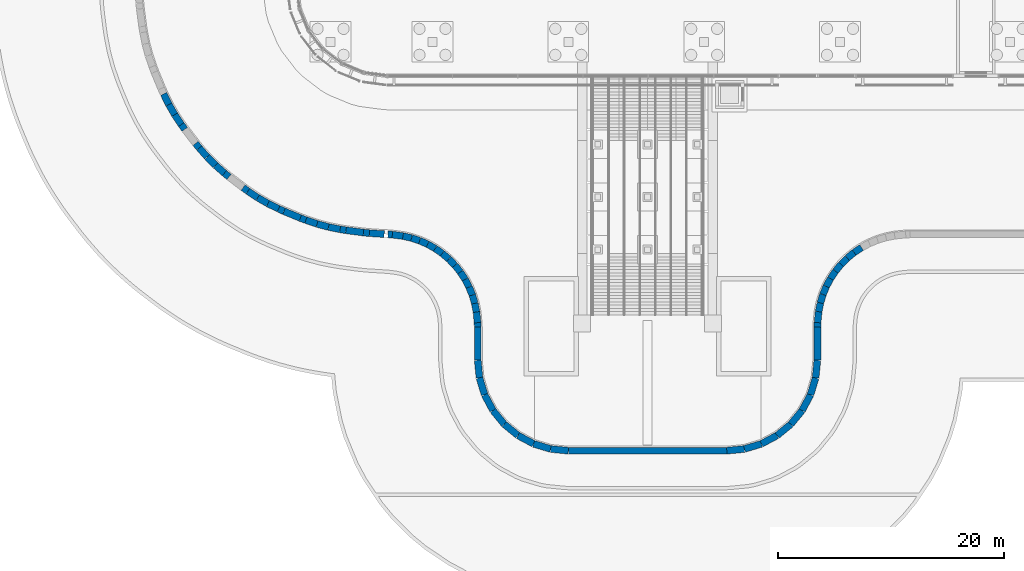
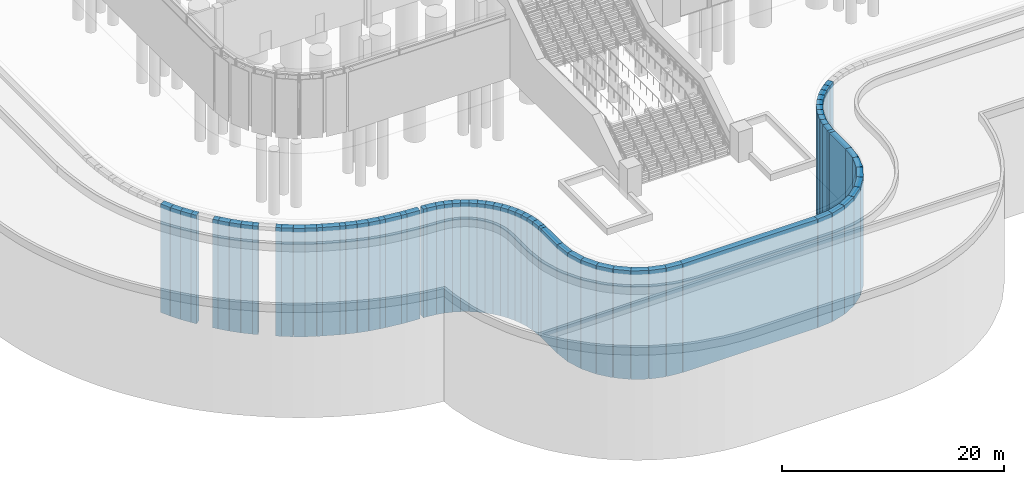
# One storey, part 20 of 48: 70 walls.
"""IFC4 building model written with IfcOpenShell, lengths in metres."""

import ifcopenshell
import ifcopenshell.guid

model = None  # the IFC model being written
_history = None  # IfcOwnerHistory: only IFC2X3 demands one
_inside = {}  # id of a spatial element -> (the spatial element, [elements in it])
_under = {}  # id of a project, library or spatial element -> (it, [spatial elements below it])
_declared = {}  # id of a project -> (the project, [libraries it declares])
_typed = {}  # id of a type object -> (the type object, [elements of that type])
_made_of = {}  # id of a material, layer set ... -> (it, [elements and type objects made of it])


def new_model(schema):
    """Start an empty IFC model of exactly this schema.

    Asked for "IFC4X3", IfcOpenShell would pick the latest addendum, in which some entities
    have other attributes; the version numbers below select the first issue.
    IFC2X3 requires an IfcOwnerHistory on every rooted entity: one is made here for all.
    """
    global model, _history
    if schema == "IFC4X3":
        model = ifcopenshell.file(schema_version=(4, 3, 0, 0))
    else:
        model = ifcopenshell.file(schema=schema)
    _inside.clear()
    _under.clear()
    _declared.clear()
    _typed.clear()
    _made_of.clear()
    _history = None
    if model.schema == "IFC2X3":
        org = make("IfcOrganization", Name="unknown")
        user = make(
            "IfcPersonAndOrganization",
            ThePerson=make("IfcPerson", FamilyName="unknown"),
            TheOrganization=org,
        )
        app = make(
            "IfcApplication",
            ApplicationDeveloper=org,
            Version="unknown",
            ApplicationFullName="unknown",
            ApplicationIdentifier="unknown",
        )
        _history = make(
            "IfcOwnerHistory",
            OwningUser=user,
            OwningApplication=app,
            ChangeAction="ADDED",
            CreationDate=0,
        )
    return model


def make(cls, **values):
    """One entity of the class cls with the attributes given. An attribute that is None is left unset."""
    return model.create_entity(
        cls, **{name: value for name, value in values.items() if value is not None}
    )


def rooted(cls, **values):
    """An entity with a GlobalId (a new one), such as an element, a storey or a relation."""
    return make(cls, GlobalId=ifcopenshell.guid.new(), OwnerHistory=_history, **values)


def si_unit(unit_type, name, prefix=None):
    """IfcSIUnit, for example si_unit("LENGTHUNIT", "METRE", prefix="MILLI")."""
    return make("IfcSIUnit", UnitType=unit_type, Prefix=prefix, Name=name)


def assignment(units):
    """IfcUnitAssignment: the units of a project."""
    return None if units is None else make("IfcUnitAssignment", Units=units)


def point(xyz):
    """IfcCartesianPoint."""
    return None if xyz is None else make("IfcCartesianPoint", Coordinates=xyz)


def direction(xyz):
    """IfcDirection."""
    return None if xyz is None else make("IfcDirection", DirectionRatios=xyz)


def frame(location, z_axis=None, x_axis=None):
    """IfcAxis2Placement3D, a coordinate frame: its origin and axes. An axis left out is left unset."""
    return make(
        "IfcAxis2Placement3D",
        Location=point(location),
        Axis=direction(z_axis),
        RefDirection=direction(x_axis),
    )


def frame_2d(location, x_axis=None):
    """IfcAxis2Placement2D, a coordinate frame in the plane: its origin and x axis."""
    return make(
        "IfcAxis2Placement2D", Location=point(location), RefDirection=direction(x_axis)
    )


def origin():
    """The frame at (0, 0, 0) with its axes left unset."""
    return frame((0.0, 0.0, 0.0))


def place(relative_to, where):
    """IfcLocalPlacement: puts the frame where relative to a parent placement (None: the world)."""
    return make(
        "IfcLocalPlacement", PlacementRelTo=relative_to, RelativePlacement=where
    )


def context(
    kind, dimensions, precision=None, world=None, true_north=None, identifier=None
):
    """IfcGeometricRepresentationContext, for example the 3D "Model" context."""
    return make(
        "IfcGeometricRepresentationContext",
        ContextIdentifier=identifier,
        ContextType=kind,
        CoordinateSpaceDimension=dimensions,
        Precision=precision,
        WorldCoordinateSystem=world,
        TrueNorth=true_north,
    )


def subcontext(parent, identifier, kind, view, scale=None):
    """IfcGeometricRepresentationSubContext, for example "Body" below "Model"."""
    return make(
        "IfcGeometricRepresentationSubContext",
        ContextIdentifier=identifier,
        ContextType=kind,
        ParentContext=parent,
        TargetScale=scale,
        TargetView=view,
    )


def project(units=None, contexts=None):
    """IfcProject with its units and contexts."""
    return rooted(
        "IfcProject",
        Name="project",
        RepresentationContexts=contexts,
        UnitsInContext=assignment(units),
    )


def spatial(cls, under=None, at=None, **own):
    """A site, building, storey or space (cls), placed at a placement, below another one or the project."""
    s = rooted(cls, ObjectPlacement=at, **own)
    if under is not None:
        _under.setdefault(under.id(), (under, []))[1].append(s)
    return s


def profile(cls, at=None, kind="AREA", **sizes):
    """A parametric profile (cls). Its sizes go by their IFC names, for example OverallWidth=200.0."""
    return make(cls, ProfileType=kind, Position=at, **sizes)


def rectangle(**sizes):
    """IfcRectangleProfileDef."""
    return profile("IfcRectangleProfileDef", **sizes)


def extrude(swept, where, along, depth):
    """IfcExtrudedAreaSolid: the profile swept, set in the frame where, extruded along a direction by depth."""
    return make(
        "IfcExtrudedAreaSolid",
        SweptArea=swept,
        Position=where,
        ExtrudedDirection=direction(along),
        Depth=depth,
    )


def shape(context_of_items, identifier, shape_type, items):
    """IfcShapeRepresentation: the items that make up one representation, for example the "Body"."""
    return make(
        "IfcShapeRepresentation",
        ContextOfItems=context_of_items,
        RepresentationIdentifier=identifier,
        RepresentationType=shape_type,
        Items=items,
    )


def material(Name=None, Category=None):
    """IfcMaterial."""
    return make("IfcMaterial", Name=Name, Category=Category)


def layer(
    of_material, thickness, ventilated=None, Name=None, Category=None, Priority=None
):
    """IfcMaterialLayer: one layer of a wall or slab, of a material (None: an air gap)."""
    return make(
        "IfcMaterialLayer",
        Material=of_material,
        LayerThickness=thickness,
        IsVentilated=ventilated,
        Name=Name,
        Category=Category,
        Priority=Priority,
    )


def layer_set(layers, Name=None):
    """IfcMaterialLayerSet."""
    return make("IfcMaterialLayerSet", MaterialLayers=layers, LayerSetName=Name)


def made_of(thing, what):
    """Note that an element or type object is made of a material, layer set ...; save() writes the relation."""
    if what is not None:
        _made_of.setdefault(what.id(), (what, []))[1].append(thing)
    return thing


def type_object(cls, material=None, **own):
    """A type object (cls), such as IfcWallType, which elements share."""
    return made_of(rooted(cls, **own), material)


def element(
    cls,
    number,
    at=None,
    inside=None,
    cuts=None,
    type_object=None,
    material=None,
    context=None,
    identifier="Body",
    shape_type=None,
    held_by="IfcProductDefinitionShape",
    body=None,
    shapes=None,
    **own,
):
    """One element of the class cls, such as IfcWall. Its Tag is "e" and its number.

    at: its placement. inside: the storey or other place that contains it. cuts: it is an
    opening in that element (IfcRelVoidsElement). A single representation is given by context,
    identifier, shape_type and body (its items); several are given by shapes. held_by: the class
    of the entity that holds the representations. save() writes the other relations.
    """
    e = rooted(cls, Tag="e%d" % number, ObjectPlacement=at, **own)
    if body is not None:
        shapes = [shape(context, identifier, shape_type, body)]
    if shapes is not None:
        e.Representation = make(held_by, Representations=shapes)
    if inside is not None:
        _inside.setdefault(inside.id(), (inside, []))[1].append(e)
    if cuts is not None:
        rooted(
            "IfcRelVoidsElement", RelatingBuildingElement=cuts, RelatedOpeningElement=e
        )
    if type_object is not None:
        _typed.setdefault(type_object.id(), (type_object, []))[1].append(e)
    return made_of(e, material)


def aggregate(whole, parts):
    """IfcRelAggregates: a whole, such as a stair, and the parts it consists of."""
    return rooted("IfcRelAggregates", RelatingObject=whole, RelatedObjects=parts)


def save(model, path):
    """Write the relations noted so far, then the file.

    IfcRelAggregates (storeys below a building ...), IfcRelContainedInSpatialStructure (elements
    in a storey), IfcRelDefinesByType, IfcRelAssociatesMaterial and IfcRelDeclares: one each for
    every whole, place, type object, material and project.
    """
    for whole, parts in _under.values():
        aggregate(whole, parts)
    for where, things in _inside.values():
        rooted(
            "IfcRelContainedInSpatialStructure",
            RelatedElements=things,
            RelatingStructure=where,
        )
    for kind, things in _typed.values():
        rooted("IfcRelDefinesByType", RelatedObjects=things, RelatingType=kind)
    for what, things in _made_of.values():
        rooted("IfcRelAssociatesMaterial", RelatedObjects=things, RelatingMaterial=what)
    for by, libraries in _declared.values():
        rooted("IfcRelDeclares", RelatingContext=by, RelatedDefinitions=libraries)
    model.write(path)


model = new_model("IFC4")

# Units and contexts
model_context = context("Model", 3, precision=1e-05, world=origin(), true_north=direction((0.0, 1.0)))
body_context = subcontext(model_context, "Body", "Model", "MODEL_VIEW")
ifc_project = project(units=[si_unit("LENGTHUNIT", "METRE"), si_unit("AREAUNIT", "SQUARE_METRE"), si_unit("VOLUMEUNIT", "CUBIC_METRE"), si_unit("PLANEANGLEUNIT", "RADIAN"), si_unit("MASSUNIT", "GRAM", prefix="KILO")], contexts=[model_context])

# Site, building, storey
site_placement = place(None, origin())
site = spatial("IfcSite", under=ifc_project, at=site_placement, CompositionType="ELEMENT")
building_placement = place(site_placement, origin())
building = spatial("IfcBuilding", under=site, at=building_placement, Name="Mahtab Terrace Research Tower", CompositionType="ELEMENT")
storey_placement = place(building_placement, origin())
storey = spatial("IfcBuildingStorey", under=building, at=storey_placement, Name="G", CompositionType="ELEMENT", Elevation=0.0)

# Walls
ifc_material = material(Name="Concrete C32/40", Category="concrete")
ifc_layer = layer(ifc_material, 0.60009765625)
ifc_layer_set = layer_set([ifc_layer], Name="Site retaining wall 600")
wall_type = type_object("IfcWallType", Name="Site retaining wall 600", PredefinedType="SOLIDWALL", material=ifc_layer_set)
wall_1_placement = place(storey_placement, frame((-10.097900390625, -51.1630859375, -12.25), z_axis=(0.0, 0.0, 1.0), x_axis=(-0.831233022947, -0.555924150908, 0.0)))
element("IfcWall", 1, at=wall_1_placement, inside=storey, type_object=wall_type, Name="Site retaining wall 159", PredefinedType="SOLIDWALL", context=body_context, shape_type="SweptSolid", body=[
    extrude(rectangle(XDim=0.7822265625, YDim=0.60009765625, at=frame_2d((0.39111328125, 0.0))), origin(), (0.0, 0.0, 1.0), 11.93994140625),
])
wall_2_placement = place(storey_placement, frame((-10.748046875, -51.597900390625, -12.25), z_axis=(0.0, 0.0, 1.0), x_axis=(-0.773261670355, -0.63408705172, 0.0)))
element("IfcWall", 2, at=wall_2_placement, inside=storey, type_object=wall_type, Name="Site retaining wall 160", PredefinedType="SOLIDWALL", context=body_context, shape_type="SweptSolid", body=[
    extrude(rectangle(XDim=0.782470703125, YDim=0.60009765625, at=frame_2d((0.39111328125, 0.0))), origin(), (0.0, 0.0, 1.0), 11.93994140625),
])
wall_3_placement = place(storey_placement, frame((-11.35302734375, -52.093994140625, -12.25), z_axis=(0.0, 0.0, 1.0), x_axis=(-0.707106781187, -0.707106781187, 0.0)))
element("IfcWall", 3, at=wall_3_placement, inside=storey, type_object=wall_type, Name="Site retaining wall 161", PredefinedType="SOLIDWALL", context=body_context, shape_type="SweptSolid", body=[
    extrude(rectangle(XDim=0.781982421875, YDim=0.60009765625, at=frame_2d((0.39111328125, 0.0))), origin(), (0.0, 0.0, 1.0), 11.93994140625),
])
wall_4_placement = place(storey_placement, frame((-11.906005859375, -52.64697265625, -12.25), z_axis=(0.0, 0.0, 1.0), x_axis=(-0.63408705172, -0.773261670355, 0.0)))
element("IfcWall", 4, at=wall_4_placement, inside=storey, type_object=wall_type, Name="Site retaining wall 162", PredefinedType="SOLIDWALL", context=body_context, shape_type="SweptSolid", body=[
    extrude(rectangle(XDim=0.782470703125, YDim=0.60009765625, at=frame_2d((0.39111328125, 0.0))), origin(), (0.0, 0.0, 1.0), 11.93994140625),
])
wall_5_placement = place(storey_placement, frame((-12.402099609375, -53.251953125, -12.25), z_axis=(0.0, 0.0, 1.0), x_axis=(-0.555924150908, -0.831233022947, 0.0)))
element("IfcWall", 5, at=wall_5_placement, inside=storey, type_object=wall_type, Name="Site retaining wall 163", PredefinedType="SOLIDWALL", context=body_context, shape_type="SweptSolid", body=[
    extrude(rectangle(XDim=0.7822265625, YDim=0.60009765625, at=frame_2d((0.39111328125, 0.0))), origin(), (0.0, 0.0, 1.0), 11.93994140625),
])
wall_6_placement = place(storey_placement, frame((-12.8369140625, -53.902099609375, -12.25), z_axis=(0.0, 0.0, 1.0), x_axis=(-0.471753800202, -0.881730317044, 0.0)))
element("IfcWall", 6, at=wall_6_placement, inside=storey, type_object=wall_type, Name="Site retaining wall 164", PredefinedType="SOLIDWALL", context=body_context, shape_type="SweptSolid", body=[
    extrude(rectangle(XDim=0.782470703125, YDim=0.60009765625, at=frame_2d((0.39111328125, 0.0))), origin(), (0.0, 0.0, 1.0), 11.93994140625),
])
wall_7_placement = place(storey_placement, frame((-13.2060546875, -54.592041015625, -12.25), z_axis=(0.0, 0.0, 1.0), x_axis=(-0.382020964761, -0.924153657399, 0.0)))
element("IfcWall", 7, at=wall_7_placement, inside=storey, type_object=wall_type, Name="Site retaining wall 165", PredefinedType="SOLIDWALL", context=body_context, shape_type="SweptSolid", body=[
    extrude(rectangle(XDim=0.7822265625, YDim=0.60009765625, at=frame_2d((0.39111328125, 0.0))), origin(), (0.0, 0.0, 1.0), 11.93994140625),
])
wall_8_placement = place(storey_placement, frame((-13.5048828125, -55.31494140625, -12.25), z_axis=(0.0, 0.0, 1.0), x_axis=(-0.290440753361, -0.956892976663, 0.0)))
element("IfcWall", 8, at=wall_8_placement, inside=storey, type_object=wall_type, Name="Site retaining wall 166", PredefinedType="SOLIDWALL", context=body_context, shape_type="SweptSolid", body=[
    extrude(rectangle(XDim=0.78173828125, YDim=0.60009765625, at=frame_2d((0.390869140625, 0.0))), origin(), (0.0, 0.0, 1.0), 11.93994140625),
])
wall_9_placement = place(storey_placement, frame((-13.73193359375, -56.06298828125, -12.25), z_axis=(0.0, 0.0, 1.0), x_axis=(-0.195695962634, -0.980664616578, 0.0)))
element("IfcWall", 9, at=wall_9_placement, inside=storey, type_object=wall_type, Name="Site retaining wall 167", PredefinedType="SOLIDWALL", context=body_context, shape_type="SweptSolid", body=[
    extrude(rectangle(XDim=0.7822265625, YDim=0.60009765625, at=frame_2d((0.39111328125, 0.0))), origin(), (0.0, 0.0, 1.0), 11.93994140625),
])
wall_10_placement = place(storey_placement, frame((-13.885009765625, -56.830078125, -12.25), z_axis=(0.0, 0.0, 1.0), x_axis=(-0.097948969534, -0.995191438552, 0.0)))
element("IfcWall", 10, at=wall_10_placement, inside=storey, type_object=wall_type, Name="Site retaining wall 168", PredefinedType="SOLIDWALL", context=body_context, shape_type="SweptSolid", body=[
    extrude(rectangle(XDim=0.9794921875, YDim=0.60009765625, at=frame_2d((0.48974609375, 0.0))), origin(), (0.0, 0.0, 1.0), 11.93994140625),
])
wall_11_placement = place(storey_placement, frame((-13.98095703125, -57.804931640625, -12.25), z_axis=(0.0, 0.0, 1.0), x_axis=(-0.048631528965, -0.998816787199, 0.0)))
element("IfcWall", 11, at=wall_11_placement, inside=storey, type_object=wall_type, Name="Site retaining wall 169", PredefinedType="SOLIDWALL", context=body_context, shape_type="SweptSolid", body=[
    extrude(rectangle(XDim=0.3916015625, YDim=0.60009765625, at=frame_2d((0.19580078125, 0.0))), origin(), (0.0, 0.0, 1.0), 11.93994140625),
])
wall_12_placement = place(storey_placement, frame((-14.0, -58.196044921875, -12.25), z_axis=(0.0, 0.0, 1.0), x_axis=(0.0, -1.0, 0.0)))
element("IfcWall", 12, at=wall_12_placement, inside=storey, type_object=wall_type, Name="Site retaining wall 170", PredefinedType="SOLIDWALL", context=body_context, shape_type="SweptSolid", body=[
    extrude(rectangle(XDim=2.9189453125, YDim=0.60009765625, at=frame_2d((1.45947265625, 0.0))), origin(), (0.0, 0.0, 1.0), 11.93994140625),
])
wall_13_placement = place(storey_placement, frame((-14.0, -61.114990234375, -12.25), z_axis=(0.0, 0.0, 1.0), x_axis=(-0.098209198418, -0.995165791889, 0.0)))
element("IfcWall", 13, at=wall_13_placement, inside=storey, type_object=wall_type, Name="Site retaining wall 171", PredefinedType="SOLIDWALL", context=body_context, shape_type="SweptSolid", body=[
    extrude(rectangle(XDim=1.568603515625, YDim=0.60009765625, at=frame_2d((0.7841796875, 0.0))), origin(), (0.0, 0.0, 1.0), 11.93994140625),
])
wall_14_placement = place(storey_placement, frame((-14.154052734375, -62.676025390625, -12.25), z_axis=(0.0, 0.0, 1.0), x_axis=(-0.290175986022, -0.956973300117, 0.0)))
element("IfcWall", 14, at=wall_14_placement, inside=storey, type_object=wall_type, Name="Site retaining wall 172", PredefinedType="SOLIDWALL", context=body_context, shape_type="SweptSolid", body=[
    extrude(rectangle(XDim=1.5673828125, YDim=0.60009765625, at=frame_2d((0.78369140625, 0.0))), origin(), (0.0, 0.0, 1.0), 11.93994140625),
])
wall_15_placement = place(storey_placement, frame((-14.60888671875, -64.176025390625, -12.25), z_axis=(0.0, 0.0, 1.0), x_axis=(-0.471016228179, -0.882124544944, 0.0)))
element("IfcWall", 15, at=wall_15_placement, inside=storey, type_object=wall_type, Name="Site retaining wall 173", PredefinedType="SOLIDWALL", context=body_context, shape_type="SweptSolid", body=[
    extrude(rectangle(XDim=1.569091796875, YDim=0.60009765625, at=frame_2d((0.78466796875, 0.0))), origin(), (0.0, 0.0, 1.0), 11.93994140625),
])
for number, where, z_axis, x_axis, name in (
    (16, (-15.347900390625, -65.56005859375, -12.25), (0.0, 0.0, 1.0), (-0.634593326451, -0.772846239574, 0.0), "Site retaining wall 174"),
    (17, (-16.343017578125, -66.77197265625, -12.25), (0.0, 0.0, 1.0), (-0.772846239574, -0.634593326451, 0.0), "Site retaining wall 175"),
):
    element("IfcWall", number, at=place(storey_placement, frame(where, z_axis=z_axis, x_axis=x_axis)), inside=storey, type_object=wall_type, Name=name, PredefinedType="SOLIDWALL", context=body_context, shape_type="SweptSolid", body=[
        extrude(rectangle(XDim=1.568115234375, YDim=0.60009765625, at=frame_2d((0.7841796875, 0.0))), origin(), (0.0, 0.0, 1.0), 11.93994140625),
    ])
wall_16_placement = place(storey_placement, frame((-17.554931640625, -67.76708984375, -12.25), z_axis=(0.0, 0.0, 1.0), x_axis=(-0.882124544944, -0.471016228179, 0.0)))
element("IfcWall", 18, at=wall_16_placement, inside=storey, type_object=wall_type, Name="Site retaining wall 176", PredefinedType="SOLIDWALL", context=body_context, shape_type="SweptSolid", body=[
    extrude(rectangle(XDim=1.569091796875, YDim=0.60009765625, at=frame_2d((0.78466796875, 0.0))), origin(), (0.0, 0.0, 1.0), 11.93994140625),
])
wall_17_placement = place(storey_placement, frame((-18.93896484375, -68.506103515625, -12.25), z_axis=(0.0, 0.0, 1.0), x_axis=(-0.956973300117, -0.290175986022, 0.0)))
element("IfcWall", 19, at=wall_17_placement, inside=storey, type_object=wall_type, Name="Site retaining wall 177", PredefinedType="SOLIDWALL", context=body_context, shape_type="SweptSolid", body=[
    extrude(rectangle(XDim=1.5673828125, YDim=0.60009765625, at=frame_2d((0.78369140625, 0.0))), origin(), (0.0, 0.0, 1.0), 11.93994140625),
])
wall_18_placement = place(storey_placement, frame((-20.43896484375, -68.9609375, -12.25), z_axis=(0.0, 0.0, 1.0), x_axis=(-0.995165791889, -0.098209198418, 0.0)))
element("IfcWall", 20, at=wall_18_placement, inside=storey, type_object=wall_type, Name="Site retaining wall 178", PredefinedType="SOLIDWALL", context=body_context, shape_type="SweptSolid", body=[
    extrude(rectangle(XDim=1.568603515625, YDim=0.60009765625, at=frame_2d((0.7841796875, 0.0))), origin(), (0.0, 0.0, 1.0), 11.93994140625),
])
wall_19_placement = place(storey_placement, frame((-22.0, -69.114990234375, -12.25), z_axis=(0.0, 0.0, 1.0), x_axis=(-1.0, 0.0, 0.0)))
element("IfcWall", 21, at=wall_19_placement, inside=storey, type_object=wall_type, Name="Site retaining wall 179", PredefinedType="SOLIDWALL", context=body_context, shape_type="SweptSolid", body=[
    extrude(rectangle(XDim=14.0, YDim=0.60009765625, at=frame_2d((7.0, 0.0))), origin(), (0.0, 0.0, 1.0), 11.93994140625),
])
wall_20_placement = place(storey_placement, frame((-36.0, -69.114990234375, -12.25), z_axis=(0.0, 0.0, 1.0), x_axis=(-0.995165791889, 0.098209198418, 0.0)))
element("IfcWall", 22, at=wall_20_placement, inside=storey, type_object=wall_type, Name="Site retaining wall 180", PredefinedType="SOLIDWALL", context=body_context, shape_type="SweptSolid", body=[
    extrude(rectangle(XDim=1.568603515625, YDim=0.60009765625, at=frame_2d((0.7841796875, 0.0))), origin(), (0.0, 0.0, 1.0), 11.93994140625),
])
wall_21_placement = place(storey_placement, frame((-37.56103515625, -68.9609375, -12.25), z_axis=(0.0, 0.0, 1.0), x_axis=(-0.956973300117, 0.290175986022, 0.0)))
element("IfcWall", 23, at=wall_21_placement, inside=storey, type_object=wall_type, Name="Site retaining wall 181", PredefinedType="SOLIDWALL", context=body_context, shape_type="SweptSolid", body=[
    extrude(rectangle(XDim=1.5673828125, YDim=0.60009765625, at=frame_2d((0.78369140625, 0.0))), origin(), (0.0, 0.0, 1.0), 11.93994140625),
])
wall_22_placement = place(storey_placement, frame((-39.06103515625, -68.506103515625, -12.25), z_axis=(0.0, 0.0, 1.0), x_axis=(-0.882124544944, 0.471016228179, 0.0)))
element("IfcWall", 24, at=wall_22_placement, inside=storey, type_object=wall_type, Name="Site retaining wall 182", PredefinedType="SOLIDWALL", context=body_context, shape_type="SweptSolid", body=[
    extrude(rectangle(XDim=1.569091796875, YDim=0.60009765625, at=frame_2d((0.78466796875, 0.0))), origin(), (0.0, 0.0, 1.0), 11.93994140625),
])
for number, where, z_axis, x_axis, name in (
    (25, (-40.445068359375, -67.76708984375, -12.25), (0.0, 0.0, 1.0), (-0.772846239574, 0.634593326451, 0.0), "Site retaining wall 183"),
    (26, (-41.656982421875, -66.77197265625, -12.25), (0.0, 0.0, 1.0), (-0.634593326451, 0.772846239574, 0.0), "Site retaining wall 184"),
):
    element("IfcWall", number, at=place(storey_placement, frame(where, z_axis=z_axis, x_axis=x_axis)), inside=storey, type_object=wall_type, Name=name, PredefinedType="SOLIDWALL", context=body_context, shape_type="SweptSolid", body=[
        extrude(rectangle(XDim=1.568115234375, YDim=0.60009765625, at=frame_2d((0.7841796875, 0.0))), origin(), (0.0, 0.0, 1.0), 11.93994140625),
    ])
wall_23_placement = place(storey_placement, frame((-42.652099609375, -65.56005859375, -12.25), z_axis=(0.0, 0.0, 1.0), x_axis=(-0.471016228179, 0.882124544944, 0.0)))
element("IfcWall", 27, at=wall_23_placement, inside=storey, type_object=wall_type, Name="Site retaining wall 185", PredefinedType="SOLIDWALL", context=body_context, shape_type="SweptSolid", body=[
    extrude(rectangle(XDim=1.569091796875, YDim=0.60009765625, at=frame_2d((0.78466796875, 0.0))), origin(), (0.0, 0.0, 1.0), 11.93994140625),
])
wall_24_placement = place(storey_placement, frame((-43.39111328125, -64.176025390625, -12.25), z_axis=(0.0, 0.0, 1.0), x_axis=(-0.290175986022, 0.956973300117, 0.0)))
element("IfcWall", 28, at=wall_24_placement, inside=storey, type_object=wall_type, Name="Site retaining wall 186", PredefinedType="SOLIDWALL", context=body_context, shape_type="SweptSolid", body=[
    extrude(rectangle(XDim=1.5673828125, YDim=0.60009765625, at=frame_2d((0.78369140625, 0.0))), origin(), (0.0, 0.0, 1.0), 11.93994140625),
])
wall_25_placement = place(storey_placement, frame((-43.845947265625, -62.676025390625, -12.25), z_axis=(0.0, 0.0, 1.0), x_axis=(-0.098209198418, 0.995165791889, 0.0)))
element("IfcWall", 29, at=wall_25_placement, inside=storey, type_object=wall_type, Name="Site retaining wall 187", PredefinedType="SOLIDWALL", context=body_context, shape_type="SweptSolid", body=[
    extrude(rectangle(XDim=1.568603515625, YDim=0.60009765625, at=frame_2d((0.7841796875, 0.0))), origin(), (0.0, 0.0, 1.0), 11.93994140625),
])
wall_26_placement = place(storey_placement, frame((-44.0, -61.114990234375, -12.25), z_axis=(0.0, 0.0, 1.0), x_axis=(0.0, 1.0, 0.0)))
element("IfcWall", 30, at=wall_26_placement, inside=storey, type_object=wall_type, Name="Site retaining wall 188", PredefinedType="SOLIDWALL", context=body_context, shape_type="SweptSolid", body=[
    extrude(rectangle(XDim=2.923095703125, YDim=0.60009765625, at=frame_2d((1.46142578125, 0.0))), origin(), (0.0, 0.0, 1.0), 11.93994140625),
])
wall_27_placement = place(storey_placement, frame((-44.0, -58.19189453125, -12.25), z_axis=(0.0, 0.0, 1.0), x_axis=(-0.047141408614, 0.998888225776, 0.0)))
element("IfcWall", 31, at=wall_27_placement, inside=storey, type_object=wall_type, Name="Site retaining wall 189", PredefinedType="SOLIDWALL", context=body_context, shape_type="SweptSolid", body=[
    extrude(rectangle(XDim=0.38330078125, YDim=0.60009765625, at=frame_2d((0.191650390625, 0.0))), origin(), (0.0, 0.0, 1.0), 11.93994140625),
])
wall_28_placement = place(storey_placement, frame((-44.01806640625, -57.80908203125, -12.25), z_axis=(0.0, 0.0, 1.0), x_axis=(-0.095925731657, 0.995388494009, 0.0)))
element("IfcWall", 32, at=wall_28_placement, inside=storey, type_object=wall_type, Name="Site retaining wall 190", PredefinedType="SOLIDWALL", context=body_context, shape_type="SweptSolid", body=[
    extrude(rectangle(XDim=0.95947265625, YDim=0.60009765625, at=frame_2d((0.479736328125, 0.0))), origin(), (0.0, 0.0, 1.0), 11.93994140625),
])
wall_29_placement = place(storey_placement, frame((-44.110107421875, -56.85400390625, -12.25), z_axis=(0.0, 0.0, 1.0), x_axis=(-0.192065046489, 0.981382197677, 0.0)))
element("IfcWall", 33, at=wall_29_placement, inside=storey, type_object=wall_type, Name="Site retaining wall 191", PredefinedType="SOLIDWALL", context=body_context, shape_type="SweptSolid", body=[
    extrude(rectangle(XDim=0.76513671875, YDim=0.60009765625, at=frame_2d((0.382568359375, 0.0))), origin(), (0.0, 0.0, 1.0), 11.93994140625),
])
wall_30_placement = place(storey_placement, frame((-44.257080078125, -56.10302734375, -12.25), z_axis=(0.0, 0.0, 1.0), x_axis=(-0.284337665477, 0.95872420017, 0.0)))
element("IfcWall", 34, at=wall_30_placement, inside=storey, type_object=wall_type, Name="Site retaining wall 192", PredefinedType="SOLIDWALL", context=body_context, shape_type="SweptSolid", body=[
    extrude(rectangle(XDim=0.766845703125, YDim=0.60009765625, at=frame_2d((0.38330078125, 0.0))), origin(), (0.0, 0.0, 1.0), 11.93994140625),
])
for number, where, z_axis, x_axis, name in (
    (35, (-44.47509765625, -55.367919921875, -12.25), (0.0, 0.0, 1.0), (-0.374631737301, 0.927173695381, 0.0), "Site retaining wall 193"),
    (36, (-44.761962890625, -54.657958984375, -12.25), (0.0, 0.0, 1.0), (-0.462326263302, 0.886709888442, 0.0), "Site retaining wall 194"),
):
    element("IfcWall", number, at=place(storey_placement, frame(where, z_axis=z_axis, x_axis=x_axis)), inside=storey, type_object=wall_type, Name=name, PredefinedType="SOLIDWALL", context=body_context, shape_type="SweptSolid", body=[
        extrude(rectangle(XDim=0.765625, YDim=0.60009765625, at=frame_2d((0.3828125, 0.0))), origin(), (0.0, 0.0, 1.0), 11.93994140625),
    ])
wall_31_placement = place(storey_placement, frame((-45.115966796875, -53.97900390625, -12.25), z_axis=(0.0, 0.0, 1.0), x_axis=(-0.545548266579, 0.838079404849, 0.0)))
element("IfcWall", 37, at=wall_31_placement, inside=storey, type_object=wall_type, Name="Site retaining wall 195", PredefinedType="SOLIDWALL", context=body_context, shape_type="SweptSolid", body=[
    extrude(rectangle(XDim=0.76611328125, YDim=0.60009765625, at=frame_2d((0.383056640625, 0.0))), origin(), (0.0, 0.0, 1.0), 11.93994140625),
])
wall_32_placement = place(storey_placement, frame((-45.533935546875, -53.3369140625, -12.25), z_axis=(0.0, 0.0, 1.0), x_axis=(-0.623060474769, 0.782173666637, 0.0)))
element("IfcWall", 38, at=wall_32_placement, inside=storey, type_object=wall_type, Name="Site retaining wall 196", PredefinedType="SOLIDWALL", context=body_context, shape_type="SweptSolid", body=[
    extrude(rectangle(XDim=0.765625, YDim=0.60009765625, at=frame_2d((0.3828125, 0.0))), origin(), (0.0, 0.0, 1.0), 11.93994140625),
])
wall_33_placement = place(storey_placement, frame((-46.010986328125, -52.738037109375, -12.25), z_axis=(0.0, 0.0, 1.0), x_axis=(-0.695225115827, 0.718792068906, 0.0)))
element("IfcWall", 39, at=wall_33_placement, inside=storey, type_object=wall_type, Name="Site retaining wall 197", PredefinedType="SOLIDWALL", context=body_context, shape_type="SweptSolid", body=[
    extrude(rectangle(XDim=0.7666015625, YDim=0.60009765625, at=frame_2d((0.38330078125, 0.0))), origin(), (0.0, 0.0, 1.0), 11.93994140625),
])
wall_34_placement = place(storey_placement, frame((-46.5439453125, -52.18701171875, -12.25), z_axis=(0.0, 0.0, 1.0), x_axis=(-0.760963507693, 0.648794682438, 0.0)))
element("IfcWall", 40, at=wall_34_placement, inside=storey, type_object=wall_type, Name="Site retaining wall 198", PredefinedType="SOLIDWALL", context=body_context, shape_type="SweptSolid", body=[
    extrude(rectangle(XDim=0.76611328125, YDim=0.60009765625, at=frame_2d((0.383056640625, 0.0))), origin(), (0.0, 0.0, 1.0), 11.93994140625),
])
wall_35_placement = place(storey_placement, frame((-47.126953125, -51.68994140625, -12.25), z_axis=(0.0, 0.0, 1.0), x_axis=(-0.820189590909, 0.572091806412, 0.0)))
element("IfcWall", 41, at=wall_35_placement, inside=storey, type_object=wall_type, Name="Site retaining wall 199", PredefinedType="SOLIDWALL", context=body_context, shape_type="SweptSolid", body=[
    extrude(rectangle(XDim=0.765625, YDim=0.60009765625, at=frame_2d((0.3828125, 0.0))), origin(), (0.0, 0.0, 1.0), 11.93994140625),
])
wall_36_placement = place(storey_placement, frame((-47.7548828125, -51.251953125, -12.25), z_axis=(0.0, 0.0, 1.0), x_axis=(-0.870971484247, 0.491333566561, 0.0)))
element("IfcWall", 42, at=wall_36_placement, inside=storey, type_object=wall_type, Name="Site retaining wall 200", PredefinedType="SOLIDWALL", context=body_context, shape_type="SweptSolid", body=[
    extrude(rectangle(XDim=0.76708984375, YDim=0.60009765625, at=frame_2d((0.383544921875, 0.0))), origin(), (0.0, 0.0, 1.0), 11.93994140625),
])
wall_37_placement = place(storey_placement, frame((-48.423095703125, -50.875, -12.25), z_axis=(0.0, 0.0, 1.0), x_axis=(-0.914310589726, 0.405013759662, 0.0)))
element("IfcWall", 43, at=wall_37_placement, inside=storey, type_object=wall_type, Name="Site retaining wall 201", PredefinedType="SOLIDWALL", context=body_context, shape_type="SweptSolid", body=[
    extrude(rectangle(XDim=0.765625, YDim=0.60009765625, at=frame_2d((0.3828125, 0.0))), origin(), (0.0, 0.0, 1.0), 11.93994140625),
])
wall_38_placement = place(storey_placement, frame((-49.123046875, -50.56494140625, -12.25), z_axis=(0.0, 0.0, 1.0), x_axis=(-0.948842486344, 0.315749799855, 0.0)))
element("IfcWall", 44, at=wall_38_placement, inside=storey, type_object=wall_type, Name="Site retaining wall 202", PredefinedType="SOLIDWALL", context=body_context, shape_type="SweptSolid", body=[
    extrude(rectangle(XDim=0.766357421875, YDim=0.60009765625, at=frame_2d((0.38330078125, 0.0))), origin(), (0.0, 0.0, 1.0), 11.93994140625),
])
wall_39_placement = place(storey_placement, frame((-49.85009765625, -50.322998046875, -12.25), z_axis=(0.0, 0.0, 1.0), x_axis=(-0.974803099071, 0.223067070726, 0.0)))
element("IfcWall", 45, at=wall_39_placement, inside=storey, type_object=wall_type, Name="Site retaining wall 203", PredefinedType="SOLIDWALL", context=body_context, shape_type="SweptSolid", body=[
    extrude(rectangle(XDim=0.76611328125, YDim=0.60009765625, at=frame_2d((0.383056640625, 0.0))), origin(), (0.0, 0.0, 1.0), 11.93994140625),
])
wall_40_placement = place(storey_placement, frame((-50.596923828125, -50.152099609375, -12.25), z_axis=(0.0, 0.0, 1.0), x_axis=(-0.991719342231, 0.128424087483, 0.0)))
element("IfcWall", 46, at=wall_40_placement, inside=storey, type_object=wall_type, Name="Site retaining wall 204", PredefinedType="SOLIDWALL", context=body_context, shape_type="SweptSolid", body=[
    extrude(rectangle(XDim=0.9580078125, YDim=0.60009765625, at=frame_2d((0.47900390625, 0.0))), origin(), (0.0, 0.0, 1.0), 11.93994140625),
])
wall_41_placement = place(storey_placement, frame((-51.547119140625, -50.029052734375, -12.25), z_axis=(0.0, 0.0, 1.0), x_axis=(-0.996735963983, 0.080730527695, 0.0)))
element("IfcWall", 47, at=wall_41_placement, inside=storey, type_object=wall_type, Name="Site retaining wall 205", PredefinedType="SOLIDWALL", context=body_context, shape_type="SweptSolid", body=[
    extrude(rectangle(XDim=0.384033203125, YDim=0.60009765625, at=frame_2d((0.19189453125, 0.0))), origin(), (0.0, 0.0, 1.0), 11.93994140625),
])
wall_42_placement = place(storey_placement, frame((-52.261962890625, -49.98291015625, -12.25), z_axis=(0.0, 0.0, 1.0), x_axis=(-0.997842550974, 0.065652444475, 0.0)))
element("IfcWall", 48, at=wall_42_placement, inside=storey, type_object=wall_type, Name="Site retaining wall 206", PredefinedType="SOLIDWALL", context=body_context, shape_type="SweptSolid", body=[
    extrude(rectangle(XDim=1.30908203125, YDim=0.60009765625, at=frame_2d((0.654541015625, 0.0))), origin(), (0.0, 0.0, 1.0), 11.93994140625),
])
wall_43_placement = place(storey_placement, frame((-53.568115234375, -49.89697265625, -12.25), z_axis=(0.0, 0.0, 1.0), x_axis=(-0.995255962326, 0.097291158151, 0.0)))
element("IfcWall", 49, at=wall_43_placement, inside=storey, type_object=wall_type, Name="Site retaining wall 207", PredefinedType="SOLIDWALL", context=body_context, shape_type="SweptSolid", body=[
    extrude(rectangle(XDim=0.5244140625, YDim=0.60009765625, at=frame_2d((0.26220703125, 0.0))), origin(), (0.0, 0.0, 1.0), 11.93994140625),
])
wall_44_placement = place(storey_placement, frame((-54.090087890625, -49.845947265625, -12.25), z_axis=(0.0, 0.0, 1.0), x_axis=(-0.991392038844, 0.130926793734, 0.0)))
element("IfcWall", 50, at=wall_44_placement, inside=storey, type_object=wall_type, Name="Site retaining wall 208", PredefinedType="SOLIDWALL", context=body_context, shape_type="SweptSolid", body=[
    extrude(rectangle(XDim=1.564453125, YDim=0.60009765625, at=frame_2d((0.7822265625, 0.0))), origin(), (0.0, 0.0, 1.0), 11.93994140625),
])
wall_45_placement = place(storey_placement, frame((-55.64111328125, -49.64111328125, -12.25), z_axis=(0.0, 0.0, 1.0), x_axis=(-0.98663265187, 0.162960149315, 0.0)))
element("IfcWall", 51, at=wall_45_placement, inside=storey, type_object=wall_type, Name="Site retaining wall 209", PredefinedType="SOLIDWALL", context=body_context, shape_type="SweptSolid", body=[
    extrude(rectangle(XDim=0.52294921875, YDim=0.60009765625, at=frame_2d((0.261474609375, 0.0))), origin(), (0.0, 0.0, 1.0), 11.93994140625),
])
wall_46_placement = place(storey_placement, frame((-56.156982421875, -49.555908203125, -12.25), z_axis=(0.0, 0.0, 1.0), x_axis=(-0.98078680558, 0.195082654278, 0.0)))
element("IfcWall", 52, at=wall_46_placement, inside=storey, type_object=wall_type, Name="Site retaining wall 210", PredefinedType="SOLIDWALL", context=body_context, shape_type="SweptSolid", body=[
    extrude(rectangle(XDim=1.044921875, YDim=0.60009765625, at=frame_2d((0.5224609375, 0.0))), origin(), (0.0, 0.0, 1.0), 11.93994140625),
])
wall_47_placement = place(storey_placement, frame((-57.181884765625, -49.35205078125, -12.25), z_axis=(0.0, 0.0, 1.0), x_axis=(-0.965838561689, 0.259144501686, 0.0)))
element("IfcWall", 53, at=wall_47_placement, inside=storey, type_object=wall_type, Name="Site retaining wall 211", PredefinedType="SOLIDWALL", context=body_context, shape_type="SweptSolid", body=[
    extrude(rectangle(XDim=1.045654296875, YDim=0.60009765625, at=frame_2d((0.52294921875, 0.0))), origin(), (0.0, 0.0, 1.0), 11.93994140625),
])
wall_48_placement = place(storey_placement, frame((-58.19189453125, -49.0810546875, -12.25), z_axis=(0.0, 0.0, 1.0), x_axis=(-0.946868159028, 0.321621966631, 0.0)))
element("IfcWall", 54, at=wall_48_placement, inside=storey, type_object=wall_type, Name="Site retaining wall 212", PredefinedType="SOLIDWALL", context=body_context, shape_type="SweptSolid", body=[
    extrude(rectangle(XDim=1.04443359375, YDim=0.60009765625, at=frame_2d((0.522216796875, 0.0))), origin(), (0.0, 0.0, 1.0), 11.93994140625),
])
wall_49_placement = place(storey_placement, frame((-59.180908203125, -48.7451171875, -12.25), z_axis=(0.0, 0.0, 1.0), x_axis=(-0.93588679671, 0.352300871053, 0.0)))
element("IfcWall", 55, at=wall_49_placement, inside=storey, type_object=wall_type, Name="Site retaining wall 213", PredefinedType="SOLIDWALL", context=body_context, shape_type="SweptSolid", body=[
    extrude(rectangle(XDim=0.5224609375, YDim=0.60009765625, at=frame_2d((0.26123046875, 0.0))), origin(), (0.0, 0.0, 1.0), 11.93994140625),
])
wall_50_placement = place(storey_placement, frame((-59.669921875, -48.56103515625, -12.25), z_axis=(0.0, 0.0, 1.0), x_axis=(-0.923845720645, 0.382765051235, 0.0)))
element("IfcWall", 56, at=wall_50_placement, inside=storey, type_object=wall_type, Name="Site retaining wall 214", PredefinedType="SOLIDWALL", context=body_context, shape_type="SweptSolid", body=[
    extrude(rectangle(XDim=1.565185546875, YDim=0.60009765625, at=frame_2d((0.78271484375, 0.0))), origin(), (0.0, 0.0, 1.0), 11.93994140625),
])
wall_51_placement = place(storey_placement, frame((-61.115966796875, -47.9619140625, -12.25), z_axis=(0.0, 0.0, 1.0), x_axis=(-0.911483685124, 0.411336227133, 0.0)))
element("IfcWall", 57, at=wall_51_placement, inside=storey, type_object=wall_type, Name="Site retaining wall 215", PredefinedType="SOLIDWALL", context=body_context, shape_type="SweptSolid", body=[
    extrude(rectangle(XDim=0.522216796875, YDim=0.60009765625, at=frame_2d((0.26123046875, 0.0))), origin(), (0.0, 0.0, 1.0), 11.93994140625),
])
wall_52_placement = place(storey_placement, frame((-61.592041015625, -47.7470703125, -12.25), z_axis=(0.0, 0.0, 1.0), x_axis=(-0.896844203557, 0.442346554803, 0.0)))
element("IfcWall", 58, at=wall_52_placement, inside=storey, type_object=wall_type, Name="Site retaining wall 216", PredefinedType="SOLIDWALL", context=body_context, shape_type="SweptSolid", body=[
    extrude(rectangle(XDim=1.044677734375, YDim=0.60009765625, at=frame_2d((0.5224609375, 0.0))), origin(), (0.0, 0.0, 1.0), 11.93994140625),
])
wall_53_placement = place(storey_placement, frame((-62.529052734375, -47.284912109375, -12.25), z_axis=(0.0, 0.0, 1.0), x_axis=(-0.866080661617, 0.499904278411, 0.0)))
element("IfcWall", 59, at=wall_53_placement, inside=storey, type_object=wall_type, Name="Site retaining wall 217", PredefinedType="SOLIDWALL", context=body_context, shape_type="SweptSolid", body=[
    extrude(rectangle(XDim=1.046142578125, YDim=0.60009765625, at=frame_2d((0.52294921875, 0.0))), origin(), (0.0, 0.0, 1.0), 11.93994140625),
])
wall_54_placement = place(storey_placement, frame((-63.43505859375, -46.761962890625, -12.25), z_axis=(0.0, 0.0, 1.0), x_axis=(-0.831402091717, 0.555671271426, 0.0)))
element("IfcWall", 60, at=wall_54_placement, inside=storey, type_object=wall_type, Name="Site retaining wall 218", PredefinedType="SOLIDWALL", context=body_context, shape_type="SweptSolid", body=[
    extrude(rectangle(XDim=1.0439453125, YDim=0.60009765625, at=frame_2d((0.52197265625, 0.0))), origin(), (0.0, 0.0, 1.0), 11.93994140625),
])
wall_55_placement = place(storey_placement, frame((-64.302978515625, -46.181884765625, -12.25), z_axis=(0.0, 0.0, 1.0), x_axis=(-0.812533445215, 0.58291457385, 0.0)))
element("IfcWall", 61, at=wall_55_placement, inside=storey, type_object=wall_type, Name="Site retaining wall 219", PredefinedType="SOLIDWALL", context=body_context, shape_type="SweptSolid", body=[
    extrude(rectangle(XDim=0.523193359375, YDim=0.60009765625, at=frame_2d((0.26171875, 0.0))), origin(), (0.0, 0.0, 1.0), 11.93994140625),
])
wall_56_placement = place(storey_placement, frame((-65.969970703125, -44.925048828125, -12.25), z_axis=(0.0, 0.0, 1.0), x_axis=(-0.772440713315, 0.635086879422, 0.0)))
element("IfcWall", 62, at=wall_56_placement, inside=storey, type_object=wall_type, Name="Site retaining wall 221", PredefinedType="SOLIDWALL", context=body_context, shape_type="SweptSolid", body=[
    extrude(rectangle(XDim=0.5244140625, YDim=0.60009765625, at=frame_2d((0.26220703125, 0.0))), origin(), (0.0, 0.0, 1.0), 11.93994140625),
])
wall_57_placement = place(storey_placement, frame((-66.375, -44.592041015625, -12.25), z_axis=(0.0, 0.0, 1.0), x_axis=(-0.752461019005, 0.658636785245, 0.0)))
element("IfcWall", 63, at=wall_57_placement, inside=storey, type_object=wall_type, Name="Site retaining wall 222", PredefinedType="SOLIDWALL", context=body_context, shape_type="SweptSolid", body=[
    extrude(rectangle(XDim=1.046142578125, YDim=0.60009765625, at=frame_2d((0.52294921875, 0.0))), origin(), (0.0, 0.0, 1.0), 11.93994140625),
])
wall_58_placement = place(storey_placement, frame((-67.162109375, -43.903076171875, -12.25), z_axis=(0.0, 0.0, 1.0), x_axis=(-0.707106781187, 0.707106781187, 0.0)))
element("IfcWall", 64, at=wall_58_placement, inside=storey, type_object=wall_type, Name="Site retaining wall 223", PredefinedType="SOLIDWALL", context=body_context, shape_type="SweptSolid", body=[
    extrude(rectangle(XDim=1.0478515625, YDim=0.60009765625, at=frame_2d((0.52392578125, 0.0))), origin(), (0.0, 0.0, 1.0), 11.93994140625),
])
wall_59_placement = place(storey_placement, frame((-67.903076171875, -43.162109375, -12.25), z_axis=(0.0, 0.0, 1.0), x_axis=(-0.65916488559, 0.751998439895, 0.0)))
element("IfcWall", 65, at=wall_59_placement, inside=storey, type_object=wall_type, Name="Site retaining wall 224", PredefinedType="SOLIDWALL", context=body_context, shape_type="SweptSolid", body=[
    extrude(rectangle(XDim=1.046630859375, YDim=0.60009765625, at=frame_2d((0.5234375, 0.0))), origin(), (0.0, 0.0, 1.0), 11.93994140625),
])
wall_60_placement = place(storey_placement, frame((-68.593017578125, -42.375, -12.25), z_axis=(0.0, 0.0, 1.0), x_axis=(-0.633973662802, 0.773354637197, 0.0)))
element("IfcWall", 66, at=wall_60_placement, inside=storey, type_object=wall_type, Name="Site retaining wall 225", PredefinedType="SOLIDWALL", context=body_context, shape_type="SweptSolid", body=[
    extrude(rectangle(XDim=0.523681640625, YDim=0.60009765625, at=frame_2d((0.26171875, 0.0))), origin(), (0.0, 0.0, 1.0), 11.93994140625),
])
wall_61_placement = place(storey_placement, frame((-69.876953125, -40.72802734375, -12.25), z_axis=(0.0, 0.0, 1.0), x_axis=(-0.58291457385, 0.812533445215, 0.0)))
element("IfcWall", 67, at=wall_61_placement, inside=storey, type_object=wall_type, Name="Site retaining wall 227", PredefinedType="SOLIDWALL", context=body_context, shape_type="SweptSolid", body=[
    extrude(rectangle(XDim=0.523193359375, YDim=0.60009765625, at=frame_2d((0.26171875, 0.0))), origin(), (0.0, 0.0, 1.0), 11.93994140625),
])
wall_62_placement = place(storey_placement, frame((-70.181884765625, -40.302978515625, -12.25), z_axis=(0.0, 0.0, 1.0), x_axis=(-0.555671271426, 0.831402091717, 0.0)))
element("IfcWall", 68, at=wall_62_placement, inside=storey, type_object=wall_type, Name="Site retaining wall 228", PredefinedType="SOLIDWALL", context=body_context, shape_type="SweptSolid", body=[
    extrude(rectangle(XDim=1.0439453125, YDim=0.60009765625, at=frame_2d((0.52197265625, 0.0))), origin(), (0.0, 0.0, 1.0), 11.93994140625),
])
wall_63_placement = place(storey_placement, frame((-70.761962890625, -39.43505859375, -12.25), z_axis=(0.0, 0.0, 1.0), x_axis=(-0.499904278411, 0.866080661617, 0.0)))
element("IfcWall", 69, at=wall_63_placement, inside=storey, type_object=wall_type, Name="Site retaining wall 229", PredefinedType="SOLIDWALL", context=body_context, shape_type="SweptSolid", body=[
    extrude(rectangle(XDim=1.046142578125, YDim=0.60009765625, at=frame_2d((0.52294921875, 0.0))), origin(), (0.0, 0.0, 1.0), 11.93994140625),
])
wall_64_placement = place(storey_placement, frame((-71.284912109375, -38.529052734375, -12.25), z_axis=(0.0, 0.0, 1.0), x_axis=(-0.442346554803, 0.896844203557, 0.0)))
element("IfcWall", 70, at=wall_64_placement, inside=storey, type_object=wall_type, Name="Site retaining wall 230", PredefinedType="SOLIDWALL", context=body_context, shape_type="SweptSolid", body=[
    extrude(rectangle(XDim=1.044677734375, YDim=0.60009765625, at=frame_2d((0.5224609375, 0.0))), origin(), (0.0, 0.0, 1.0), 11.93994140625),
])

save(model, "model.ifc")
